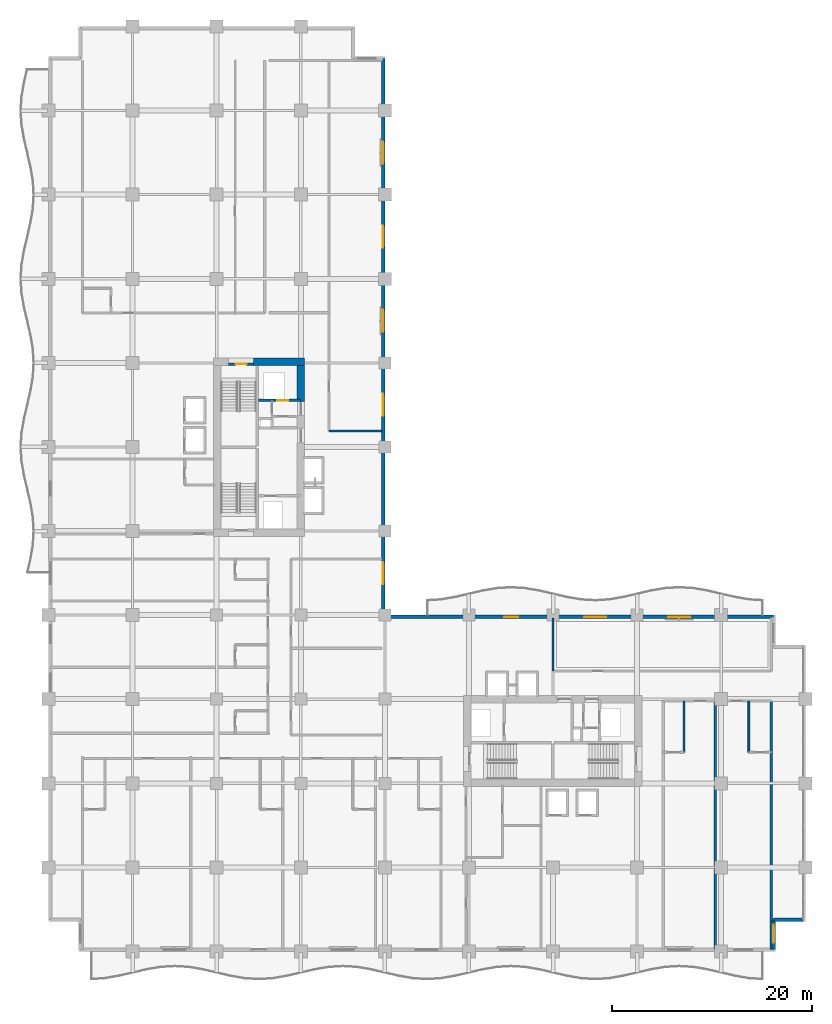
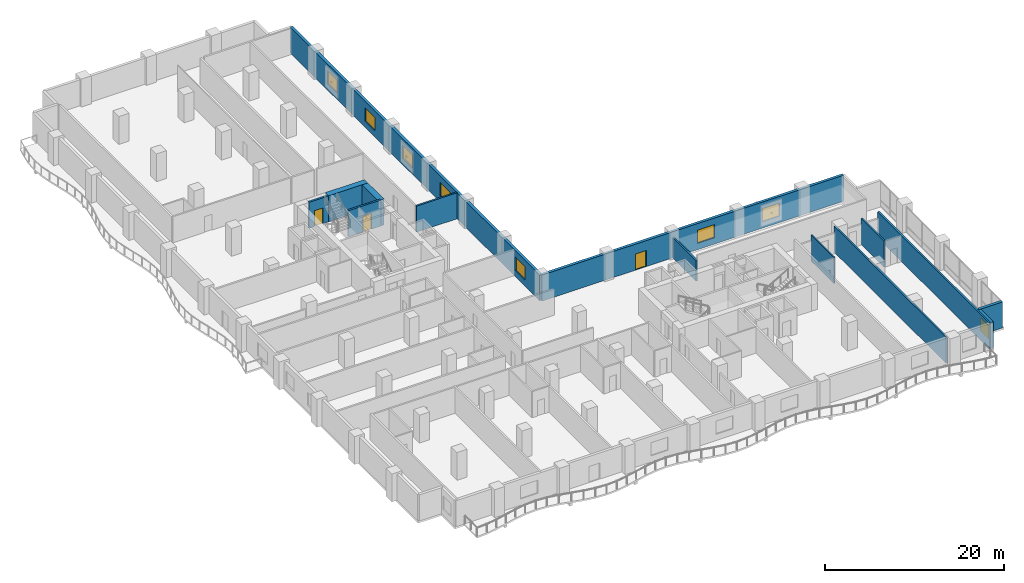
# One storey, part 14 of 23: 14 walls, 8 windows, 3 doors, 11 openings.
"""IFC4 building model written with IfcOpenShell, lengths in metres."""

from ifc_helpers import new_model, si_unit, direction, frame, frame_2d, origin, place, context, subcontext, project, spatial, rectangle, extrude, material, layer, layer_set, type_object, element, fill, save


model = new_model("IFC4")

# Units and contexts
model_context = context("Model", 3, precision=1e-05, world=origin(), true_north=direction((0.0, 1.0)))
body_context = subcontext(model_context, "Body", "Model", "MODEL_VIEW")
ifc_project = project(units=[si_unit("LENGTHUNIT", "METRE"), si_unit("AREAUNIT", "SQUARE_METRE"), si_unit("VOLUMEUNIT", "CUBIC_METRE"), si_unit("PLANEANGLEUNIT", "RADIAN"), si_unit("MASSUNIT", "GRAM", prefix="KILO")], contexts=[model_context])

# Site, building, storey
site_placement = place(None, origin())
site = spatial("IfcSite", under=ifc_project, at=site_placement, CompositionType="ELEMENT")
building_placement = place(site_placement, origin())
building = spatial("IfcBuilding", under=site, at=building_placement, Name="Koriwani Terraces Tower", CompositionType="ELEMENT")
storey_placement = place(building_placement, frame((0.0, 0.0, 119.0)))
storey = spatial("IfcBuildingStorey", under=building, at=storey_placement, Name="L28", CompositionType="ELEMENT", Elevation=119.0)

# Walls
ifc_material_1 = material(Name="Concrete C60/75", Category="concrete")
ifc_layer_1 = layer(ifc_material_1, 0.75, Name="Concrete C60/75")
ifc_layer_set_1 = layer_set([ifc_layer_1], Name="Concrete C60/75")
wall_type_1 = type_object("IfcWallType", Name="WALL_CORE_RC_750", PredefinedType="SHEAR", material=ifc_layer_set_1)
wall_1_placement = place(storey_placement, frame((20.5, 58.925048828125, 0.0), z_axis=(0.0, 0.0, 1.0), x_axis=(1.0, 0.0, 0.0)))
element("IfcWall", 1, at=wall_1_placement, inside=storey, type_object=wall_type_1, Name="L28 West Split Core Shear Wall N2", PredefinedType="SHEAR", context=body_context, shape_type="SweptSolid", body=[
    extrude(rectangle(XDim=5.074951171875, YDim=0.75, at=frame_2d((2.53759765625, 0.0))), origin(), (0.0, 0.0, 1.0), 3.550048828125),
])
wall_2_placement = place(storey_placement, frame((25.199951171875, 54.949951171875, 0.0), z_axis=(0.0, 0.0, 1.0), x_axis=(0.0, 1.0, 0.0)))
element("IfcWall", 2, at=wall_2_placement, inside=storey, type_object=wall_type_1, Name="L28 West Split Core Shear Wall E3", PredefinedType="SHEAR", context=body_context, shape_type="SweptSolid", body=[
    extrude(rectangle(XDim=3.60009765625, YDim=0.75, at=frame_2d((1.800048828125, 0.0))), origin(), (0.0, 0.0, 1.0), 3.550048828125),
])
ifc_material_2 = material(Name="Autoclaved Cellular Concrete Blockwork", Category="masonry")
ifc_layer_2 = layer(ifc_material_2, 0.219970703125, Name="Autoclaved Cellular Concrete Blockwork")
ifc_layer_set_2 = layer_set([ifc_layer_2], Name="Autoclaved Cellular Concrete Blockwork")
wall_type_2 = type_object("IfcWallType", Name="WALL_DEMISING_220", PredefinedType="PARTITIONING", material=ifc_layer_set_2)
wall_3_placement = place(storey_placement, frame((28.0, 52.0, 0.0), z_axis=(0.0, 0.0, 1.0), x_axis=(1.0, 0.0, 0.0)))
element("IfcWall", 3, at=wall_3_placement, inside=storey, type_object=wall_type_2, Name="L28 Interior Wall WNWT2-S-L28", PredefinedType="PARTITIONING", context=body_context, shape_type="SweptSolid", body=[
    extrude(rectangle(XDim=5.300048828125, YDim=0.219970703125, at=frame_2d((2.64990234375, 0.0))), origin(), (0.0, 0.0, 1.0), 3.550048828125),
])
for number, where, z_axis, x_axis, name in (
    (4, (66.60009765625, 0.199951171875, 0.0), (0.0, 0.0, 1.0), (0.0, 1.0, 0.0), "L28 Interior Wall WDEM-L28-SE-1"),
    (5, (72.199951171875, 0.199951171875, 0.0), (0.0, 0.0, 1.0), (0.0, 1.0, 0.0), "L28 Interior Wall WDEME-L28-SE"),
):
    element("IfcWall", number, at=place(storey_placement, frame(where, z_axis=z_axis, x_axis=x_axis)), inside=storey, type_object=wall_type_2, Name=name, PredefinedType="PARTITIONING", context=body_context, shape_type="SweptSolid", body=[
        extrude(rectangle(XDim=24.97998046875, YDim=0.219970703125, at=frame_2d((12.489990234375, 0.0))), origin(), (0.0, 0.0, 1.0), 3.550048828125),
    ])
wall_4_placement = place(storey_placement, frame((50.39990234375, 28.0, 0.0), z_axis=(0.0, 0.0, 1.0), x_axis=(0.0, 1.0, 0.0)))
element("IfcWall", 6, at=wall_4_placement, inside=storey, type_object=wall_type_2, Name="L28 Interior Wall WSEC-W-L28", PredefinedType="PARTITIONING", context=body_context, shape_type="SweptSolid", body=[
    extrude(rectangle(XDim=5.300048828125, YDim=0.219970703125, at=frame_2d((2.64990234375, 0.0))), origin(), (0.0, 0.0, 1.0), 2.800048828125),
])

# Wall, openings, windows
ifc_material_3 = material(Name="Concrete C50/60", Category="concrete")
ifc_layer_3 = layer(ifc_material_3, 0.35009765625, Name="Concrete C50/60")
ifc_layer_set_3 = layer_set([ifc_layer_3], Name="Concrete C50/60")
wall_type_3 = type_object("IfcWallType", Name="WALL_EXT_BRUTALIST_350", PredefinedType="STANDARD", material=ifc_layer_set_3)
wall_5_placement = place(storey_placement, frame((33.425048828125, 89.22509765625, 0.0), z_axis=(0.0, 0.0, 1.0), x_axis=(0.0, -1.0, 0.0)))
wall_5 = element("IfcWall", 7, at=wall_5_placement, inside=storey, type_object=wall_type_3, Name="L28 Fair-Faced Brutalist Exterior Wall (NW_IN)", PredefinedType="STANDARD", context=body_context, shape_type="SweptSolid", body=[
    extrude(rectangle(XDim=55.800048828125, YDim=0.35009765625, at=frame_2d((27.89990234375, 0.0))), origin(), (0.0, 0.0, 1.0), 3.550048828125),
])
opening_1_placement = place(wall_5_placement, frame((50.324951171875, 0.0, 0.85009765625)))
opening_1 = element("IfcOpeningElement", 8, at=opening_1_placement, cuts=wall_5, Name="Opening W-01", PredefinedType="OPENING", context=body_context, shape_type="SweptSolid", body=[
    extrude(rectangle(XDim=2.199951171875, YDim=1.800048828125, at=frame_2d((1.10009765625, 0.89990234375))), frame((0.0, 0.18505859375, 0.0), z_axis=(0.0, -1.0, 0.0), x_axis=(1.0, 0.0, 0.0)), (0.0, 0.0, 1.0), 0.3701171875),
])
opening_2_placement = place(wall_5_placement, frame((33.52490234375, 0.0, 0.85009765625)))
opening_2 = element("IfcOpeningElement", 9, at=opening_2_placement, cuts=wall_5, Name="Opening W-01", PredefinedType="OPENING", context=body_context, shape_type="SweptSolid", body=[
    extrude(rectangle(XDim=2.199951171875, YDim=1.800048828125, at=frame_2d((1.10009765625, 0.89990234375))), frame((0.0, 0.18505859375, 0.0), z_axis=(0.0, -1.0, 0.0), x_axis=(1.0, 0.0, 0.0)), (0.0, 0.0, 1.0), 0.3701171875),
])
opening_3_placement = place(wall_5_placement, frame((25.125, 0.0, 0.85009765625)))
opening_3 = element("IfcOpeningElement", 10, at=opening_3_placement, cuts=wall_5, Name="Opening W-01", PredefinedType="OPENING", context=body_context, shape_type="SweptSolid", body=[
    extrude(rectangle(XDim=2.199951171875, YDim=1.800048828125, at=frame_2d((1.10009765625, 0.89990234375))), frame((0.0, 0.18505859375, 0.0), z_axis=(0.0, -1.0, 0.0), x_axis=(1.0, 0.0, 0.0)), (0.0, 0.0, 1.0), 0.3701171875),
])
opening_4_placement = place(wall_5_placement, frame((16.72509765625, 0.0, 0.85009765625)))
opening_4 = element("IfcOpeningElement", 11, at=opening_4_placement, cuts=wall_5, Name="Opening W-01", PredefinedType="OPENING", context=body_context, shape_type="SweptSolid", body=[
    extrude(rectangle(XDim=2.199951171875, YDim=1.800048828125, at=frame_2d((1.10009765625, 0.89990234375))), frame((0.0, 0.18505859375, 0.0), z_axis=(0.0, -1.0, 0.0), x_axis=(1.0, 0.0, 0.0)), (0.0, 0.0, 1.0), 0.3701171875),
])
opening_5_placement = place(wall_5_placement, frame((8.324951171875, 0.0, 0.85009765625)))
opening_5 = element("IfcOpeningElement", 12, at=opening_5_placement, cuts=wall_5, Name="Opening W-01", PredefinedType="OPENING", context=body_context, shape_type="SweptSolid", body=[
    extrude(rectangle(XDim=2.199951171875, YDim=1.800048828125, at=frame_2d((1.10009765625, 0.89990234375))), frame((0.0, 0.18505859375, 0.0), z_axis=(0.0, -1.0, 0.0), x_axis=(1.0, 0.0, 0.0)), (0.0, 0.0, 1.0), 0.3701171875),
])
ifc_material_4 = material(Name="Tempered Laminated Low-E Glass", Category="glass")
window_type_1 = type_object("IfcWindowType", Name="WIN_HOTEL_STD_2200X1800", PartitioningType="DOUBLE_PANEL_VERTICAL", PredefinedType="WINDOW", material=ifc_material_4)
window_1_placement = place(opening_1_placement, origin())
window_1 = element("IfcWindow", 13, at=window_1_placement, inside=storey, type_object=window_type_1, Name="L28 Exterior Window (NW_IN-2)", OverallHeight=1.800048828125, OverallWidth=2.199951171875, PartitioningType="SINGLE_PANEL", PredefinedType="WINDOW", context=body_context, shape_type="SweptSolid", body=[
    extrude(rectangle(XDim=2.199951171875, YDim=1.800048828125, at=frame_2d((1.10009765625, 0.89990234375))), frame((0.0, 0.030029296875, 0.0), z_axis=(0.0, -1.0, 0.0), x_axis=(1.0, 0.0, 0.0)), (0.0, 0.0, 1.0), 0.06005859375),
])
fill(opening_1, window_1)
window_2_placement = place(opening_2_placement, origin())
window_2 = element("IfcWindow", 14, at=window_2_placement, inside=storey, type_object=window_type_1, Name="L28 Exterior Window (NW_IN-8)", OverallHeight=1.800048828125, OverallWidth=2.199951171875, PartitioningType="SINGLE_PANEL", PredefinedType="WINDOW", context=body_context, shape_type="SweptSolid", body=[
    extrude(rectangle(XDim=2.199951171875, YDim=1.800048828125, at=frame_2d((1.10009765625, 0.89990234375))), frame((0.0, 0.030029296875, 0.0), z_axis=(0.0, -1.0, 0.0), x_axis=(1.0, 0.0, 0.0)), (0.0, 0.0, 1.0), 0.06005859375),
])
fill(opening_2, window_2)
window_3_placement = place(opening_3_placement, origin())
window_3 = element("IfcWindow", 15, at=window_3_placement, inside=storey, type_object=window_type_1, Name="L28 Exterior Window (NW_IN-11)", OverallHeight=1.800048828125, OverallWidth=2.199951171875, PartitioningType="SINGLE_PANEL", PredefinedType="WINDOW", context=body_context, shape_type="SweptSolid", body=[
    extrude(rectangle(XDim=2.199951171875, YDim=1.800048828125, at=frame_2d((1.10009765625, 0.89990234375))), frame((0.0, 0.030029296875, 0.0), z_axis=(0.0, -1.0, 0.0), x_axis=(1.0, 0.0, 0.0)), (0.0, 0.0, 1.0), 0.06005859375),
])
fill(opening_3, window_3)
window_4_placement = place(opening_4_placement, origin())
window_4 = element("IfcWindow", 16, at=window_4_placement, inside=storey, type_object=window_type_1, Name="L28 Exterior Window (NW_IN-14)", OverallHeight=1.800048828125, OverallWidth=2.199951171875, PartitioningType="SINGLE_PANEL", PredefinedType="WINDOW", context=body_context, shape_type="SweptSolid", body=[
    extrude(rectangle(XDim=2.199951171875, YDim=1.800048828125, at=frame_2d((1.10009765625, 0.89990234375))), frame((0.0, 0.030029296875, 0.0), z_axis=(0.0, -1.0, 0.0), x_axis=(1.0, 0.0, 0.0)), (0.0, 0.0, 1.0), 0.06005859375),
])
fill(opening_4, window_4)
window_5_placement = place(opening_5_placement, origin())
window_5 = element("IfcWindow", 17, at=window_5_placement, inside=storey, type_object=window_type_1, Name="L28 Exterior Window (NW_IN-17)", OverallHeight=1.800048828125, OverallWidth=2.199951171875, PartitioningType="SINGLE_PANEL", PredefinedType="WINDOW", context=body_context, shape_type="SweptSolid", body=[
    extrude(rectangle(XDim=2.199951171875, YDim=1.800048828125, at=frame_2d((1.10009765625, 0.89990234375))), frame((0.0, 0.030029296875, 0.0), z_axis=(0.0, -1.0, 0.0), x_axis=(1.0, 0.0, 0.0)), (0.0, 0.0, 1.0), 0.06005859375),
])
fill(opening_5, window_5)

# Wall, openings, door, windows
wall_6_placement = place(storey_placement, frame((33.425048828125, 33.425048828125, 0.0), z_axis=(0.0, 0.0, 1.0), x_axis=(1.0, 0.0, 0.0)))
wall_6 = element("IfcWall", 18, at=wall_6_placement, inside=storey, type_object=wall_type_3, Name="L28 Fair-Faced Brutalist Exterior Wall (NE)", PredefinedType="STANDARD", context=body_context, shape_type="SweptSolid", body=[
    extrude(rectangle(XDim=39.0, YDim=0.35009765625, at=frame_2d((19.5, 0.0))), origin(), (0.0, 0.0, 1.0), 3.550048828125),
])
opening_6_placement = place(wall_6_placement, frame((12.074951171875, 0.0, 0.0)))
opening_6 = element("IfcOpeningElement", 19, at=opening_6_placement, cuts=wall_6, Name="Opening D-09", PredefinedType="OPENING", context=body_context, shape_type="SweptSolid", body=[
    extrude(rectangle(XDim=1.39990234375, YDim=2.199951171875, at=frame_2d((0.699951171875, 1.10009765625))), frame((0.0, 0.18505859375, 0.0), z_axis=(0.0, -1.0, 0.0), x_axis=(1.0, 0.0, 0.0)), (0.0, 0.0, 1.0), 0.3701171875),
])
opening_7_placement = place(wall_6_placement, frame((20.074951171875, 0.0, 0.85009765625)))
opening_7 = element("IfcOpeningElement", 20, at=opening_7_placement, cuts=wall_6, Name="Opening W-01", PredefinedType="OPENING", context=body_context, shape_type="SweptSolid", body=[
    extrude(rectangle(XDim=2.199951171875, YDim=1.800048828125, at=frame_2d((1.10009765625, 0.89990234375))), frame((0.0, 0.18505859375, 0.0), z_axis=(0.0, -1.0, 0.0), x_axis=(1.0, 0.0, 0.0)), (0.0, 0.0, 1.0), 0.3701171875),
])
opening_8_placement = place(wall_6_placement, frame((28.47509765625, 0.0, 0.85009765625)))
opening_8 = element("IfcOpeningElement", 21, at=opening_8_placement, cuts=wall_6, Name="Opening W-01", PredefinedType="OPENING", context=body_context, shape_type="SweptSolid", body=[
    extrude(rectangle(XDim=2.199951171875, YDim=1.800048828125, at=frame_2d((1.10009765625, 0.89990234375))), frame((0.0, 0.18505859375, 0.0), z_axis=(0.0, -1.0, 0.0), x_axis=(1.0, 0.0, 0.0)), (0.0, 0.0, 1.0), 0.3701171875),
])
ifc_material_5 = material(Name="Anodised Bronze Aluminium", Category="aluminium")
door_type_1 = type_object("IfcDoorType", Name="DOOR_BALCONY_GLAZED_1400X2200", OperationType="NOTDEFINED", PredefinedType="DOOR", material=ifc_material_5)
door_1_placement = place(opening_6_placement, origin())
door_1 = element("IfcDoor", 22, at=door_1_placement, inside=storey, type_object=door_type_1, Name="L28 Inner Court Balcony Glazed Door", OperationType="SINGLE_SWING_LEFT", OverallHeight=2.199951171875, OverallWidth=1.39990234375, PredefinedType="DOOR", context=body_context, shape_type="SweptSolid", body=[
    extrude(rectangle(XDim=1.39990234375, YDim=2.199951171875, at=frame_2d((0.699951171875, 1.10009765625))), frame((0.0, 0.02490234375, 0.0), z_axis=(0.0, -1.0, 0.0), x_axis=(1.0, 0.0, 0.0)), (0.0, 0.0, 1.0), 0.050048828125),
])
fill(opening_6, door_1)
window_6_placement = place(opening_7_placement, origin())
window_6 = element("IfcWindow", 23, at=window_6_placement, inside=storey, type_object=window_type_1, Name="L28 Exterior Window (NE-8)", OverallHeight=1.800048828125, OverallWidth=2.199951171875, PartitioningType="SINGLE_PANEL", PredefinedType="WINDOW", context=body_context, shape_type="SweptSolid", body=[
    extrude(rectangle(XDim=2.199951171875, YDim=1.800048828125, at=frame_2d((1.10009765625, 0.89990234375))), frame((0.0, 0.030029296875, 0.0), z_axis=(0.0, -1.0, 0.0), x_axis=(1.0, 0.0, 0.0)), (0.0, 0.0, 1.0), 0.06005859375),
])
fill(opening_7, window_6)
window_7_placement = place(opening_8_placement, origin())
window_7 = element("IfcWindow", 24, at=window_7_placement, inside=storey, type_object=window_type_1, Name="L28 Exterior Window (NE-11)", OverallHeight=1.800048828125, OverallWidth=2.199951171875, PartitioningType="SINGLE_PANEL", PredefinedType="WINDOW", context=body_context, shape_type="SweptSolid", body=[
    extrude(rectangle(XDim=2.199951171875, YDim=1.800048828125, at=frame_2d((1.10009765625, 0.89990234375))), frame((0.0, 0.030029296875, 0.0), z_axis=(0.0, -1.0, 0.0), x_axis=(1.0, 0.0, 0.0)), (0.0, 0.0, 1.0), 0.06005859375),
])
fill(opening_8, window_7)

# Wall
wall_7_placement = place(storey_placement, frame((75.425048828125, 3.175048828125, 0.0), z_axis=(0.0, 0.0, 1.0), x_axis=(-1.0, 0.0, 0.0)))
element("IfcWall", 25, at=wall_7_placement, inside=storey, type_object=wall_type_3, Name="L28 Fair-Faced Brutalist Exterior Wall (N13)", PredefinedType="STANDARD", context=body_context, shape_type="SweptSolid", body=[
    extrude(rectangle(XDim=3.0, YDim=0.35009765625, at=frame_2d((1.5, 0.0))), origin(), (0.0, 0.0, 1.0), 3.550048828125),
])

# Wall, opening, window
wall_8_placement = place(storey_placement, frame((72.425048828125, 3.175048828125, 0.0), z_axis=(0.0, 0.0, 1.0), x_axis=(0.0, -1.0, 0.0)))
wall_8 = element("IfcWall", 26, at=wall_8_placement, inside=storey, type_object=wall_type_3, Name="L28 Fair-Faced Brutalist Exterior Wall (N14)", PredefinedType="STANDARD", context=body_context, shape_type="SweptSolid", body=[
    extrude(rectangle(XDim=3.0, YDim=0.35009765625, at=frame_2d((1.5, 0.0))), origin(), (0.0, 0.0, 1.0), 3.550048828125),
])
opening_9_placement = place(wall_8_placement, frame((0.5224609375, 0.0, 0.85009765625)))
opening_9 = element("IfcOpeningElement", 27, at=opening_9_placement, cuts=wall_8, Name="Opening W-04", PredefinedType="OPENING", context=body_context, shape_type="SweptSolid", body=[
    extrude(rectangle(XDim=1.800048828125, YDim=1.800048828125, at=frame_2d((0.89990234375, 0.89990234375))), frame((0.0, 0.18505859375, 0.0), z_axis=(0.0, -1.0, 0.0), x_axis=(1.0, 0.0, 0.0)), (0.0, 0.0, 1.0), 0.3701171875),
])
window_type_2 = type_object("IfcWindowType", Name="WIN_RES_BED_1800X1800", PartitioningType="DOUBLE_PANEL_VERTICAL", PredefinedType="WINDOW", material=ifc_material_4)
window_8_placement = place(opening_9_placement, origin())
window_8 = element("IfcWindow", 28, at=window_8_placement, inside=storey, type_object=window_type_2, Name="L28 Exterior Window (N14-R54)", OverallHeight=1.800048828125, OverallWidth=1.800048828125, PartitioningType="SINGLE_PANEL", PredefinedType="WINDOW", context=body_context, shape_type="SweptSolid", body=[
    extrude(rectangle(XDim=1.800048828125, YDim=1.800048828125, at=frame_2d((0.89990234375, 0.89990234375))), frame((0.0, 0.030029296875, 0.0), z_axis=(0.0, -1.0, 0.0), x_axis=(1.0, 0.0, 0.0)), (0.0, 0.0, 1.0), 0.06005859375),
])
fill(opening_9, window_8)

# Walls
ifc_material_6 = material(Name="Fire-Rated Acoustic Gypsum Partition", Category="masonry")
ifc_layer_4 = layer(ifc_material_6, 0.179931640625, Name="Fire-Rated Acoustic Gypsum Partition")
ifc_layer_set_4 = layer_set([ifc_layer_4], Name="Fire-Rated Acoustic Gypsum Partition")
wall_type_4 = type_object("IfcWallType", Name="WALL_PLUMBING_180", PredefinedType="PLUMBINGWALL", material=ifc_layer_set_4)
for number, where, z_axis, x_axis, name in (
    (29, (63.47998046875, 19.89990234375, 0.0), (0.0, 0.0, 1.0), (0.0, 1.0, 0.0), "L28 Interior Wall WBTH2-L28-SE-0"),
    (30, (69.9599609375, 19.89990234375, 0.0), (0.0, 0.0, 1.0), (0.0, 1.0, 0.0), "L28 Interior Wall WBTH2-L28-SE-1"),
):
    element("IfcWall", number, at=place(storey_placement, frame(where, z_axis=z_axis, x_axis=x_axis)), inside=storey, type_object=wall_type_4, Name=name, PredefinedType="PLUMBINGWALL", context=body_context, shape_type="SweptSolid", body=[
        extrude(rectangle(XDim=5.10009765625, YDim=0.179931640625, at=frame_2d((2.550048828125, 0.0))), origin(), (0.0, 0.0, 1.0), 3.550048828125),
    ])

# Wall, opening, door
ifc_material_7 = material(Name="Concrete C40/50", Category="concrete")
ifc_layer_5 = layer(ifc_material_7, 0.25, Name="Concrete C40/50")
ifc_layer_set_5 = layer_set([ifc_layer_5], Name="Concrete C40/50")
wall_type_5 = type_object("IfcWallType", Name="WALL_SHAFT_RATED_250", PredefinedType="SOLIDWALL", material=ifc_layer_set_5)
wall_9_placement = place(storey_placement, frame((18.0, 58.675048828125, 0.0), z_axis=(0.0, 0.0, 1.0), x_axis=(1.0, 0.0, 0.0)))
wall_9 = element("IfcWall", 31, at=wall_9_placement, inside=storey, type_object=wall_type_5, Name="L28 Interior Wall WIN-CW-L28-STN", PredefinedType="SOLIDWALL", context=body_context, shape_type="SweptSolid", body=[
    extrude(rectangle(XDim=2.5, YDim=0.25, at=frame_2d((1.25, 0.0))), origin(), (0.0, 0.0, 1.0), 3.550048828125),
])
opening_10_placement = place(wall_9_placement, frame((0.699951171875, 0.0, 0.0)))
opening_10 = element("IfcOpeningElement", 32, at=opening_10_placement, cuts=wall_9, Name="Opening D-03", PredefinedType="OPENING", context=body_context, shape_type="SweptSolid", body=[
    extrude(rectangle(XDim=1.10009765625, YDim=2.14990234375, at=frame_2d((0.550048828125, 1.074951171875))), frame((0.0, 0.135009765625, 0.0), z_axis=(0.0, -1.0, 0.0), x_axis=(1.0, 0.0, 0.0)), (0.0, 0.0, 1.0), 0.27001953125),
])
ifc_material_8 = material(Name="Steel ASTM A572 Grade 50", Category="steel")
door_type_2 = type_object("IfcDoorType", Name="DOOR_STAIR_FIRE_1100X2150", OperationType="NOTDEFINED", PredefinedType="DOOR", material=ifc_material_8)
door_2_placement = place(opening_10_placement, origin())
door_2 = element("IfcDoor", 33, at=door_2_placement, inside=storey, type_object=door_type_2, Name="L28 Exit Stair ST-W2 Door", OperationType="SINGLE_SWING_LEFT", OverallHeight=2.14990234375, OverallWidth=1.10009765625, PredefinedType="DOOR", context=body_context, shape_type="SweptSolid", body=[
    extrude(rectangle(XDim=1.10009765625, YDim=2.14990234375, at=frame_2d((0.550048828125, 1.074951171875))), frame((0.0, 0.02490234375, 0.0), z_axis=(0.0, -1.0, 0.0), x_axis=(1.0, 0.0, 0.0)), (0.0, 0.0, 1.0), 0.050048828125),
])
fill(opening_10, door_2)

wall_10_placement = place(storey_placement, frame((21.0, 55.050048828125, 0.0), z_axis=(0.0, 0.0, 1.0), x_axis=(1.0, 0.0, 0.0)))
wall_10 = element("IfcWall", 34, at=wall_10_placement, inside=storey, type_object=wall_type_5, Name="L28 Interior Wall WIN-CW-L28-SE", PredefinedType="SOLIDWALL", context=body_context, shape_type="SweptSolid", body=[
    extrude(rectangle(XDim=4.14990234375, YDim=0.25, at=frame_2d((2.074951171875, 0.0))), origin(), (0.0, 0.0, 1.0), 3.550048828125),
])
opening_11_placement = place(wall_10_placement, frame((1.85009765625, 0.0, 0.0)))
opening_11 = element("IfcOpeningElement", 35, at=opening_11_placement, cuts=wall_10, Name="Opening LD-01", PredefinedType="OPENING", context=body_context, shape_type="SweptSolid", body=[
    extrude(rectangle(XDim=1.10009765625, YDim=2.14990234375, at=frame_2d((0.550048828125, 1.074951171875))), frame((0.0, 0.135009765625, 0.0), z_axis=(0.0, -1.0, 0.0), x_axis=(1.0, 0.0, 0.0)), (0.0, 0.0, 1.0), 0.27001953125),
])
door_type_3 = type_object("IfcDoorType", Name="DOOR_LIFT_LANDING_1100X2200", OperationType="NOTDEFINED", PredefinedType="DOOR", material=ifc_material_8)
door_3_placement = place(opening_11_placement, origin())
door_3 = element("IfcDoor", 36, at=door_3_placement, inside=storey, type_object=door_type_3, Name="L28 Goods Lift SE-01 Landing Door", OperationType="SLIDING_TO_LEFT", OverallHeight=2.14990234375, OverallWidth=1.10009765625, PredefinedType="DOOR", context=body_context, shape_type="SweptSolid", body=[
    extrude(rectangle(XDim=1.10009765625, YDim=2.14990234375, at=frame_2d((0.550048828125, 1.074951171875))), frame((0.0, 0.02490234375, 0.0), z_axis=(0.0, -1.0, 0.0), x_axis=(1.0, 0.0, 0.0)), (0.0, 0.0, 1.0), 0.050048828125),
])
fill(opening_11, door_3)

save(model, "model.ifc")
